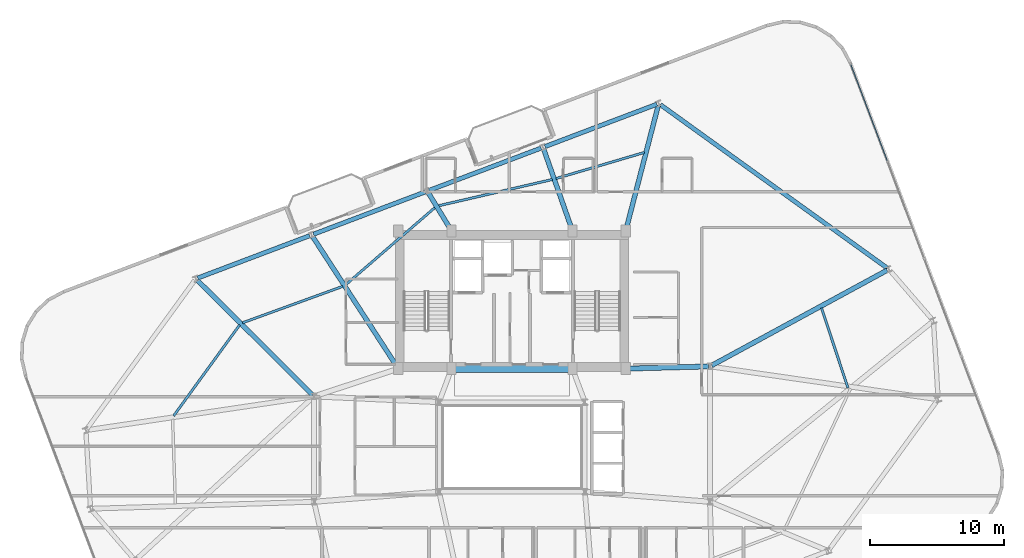
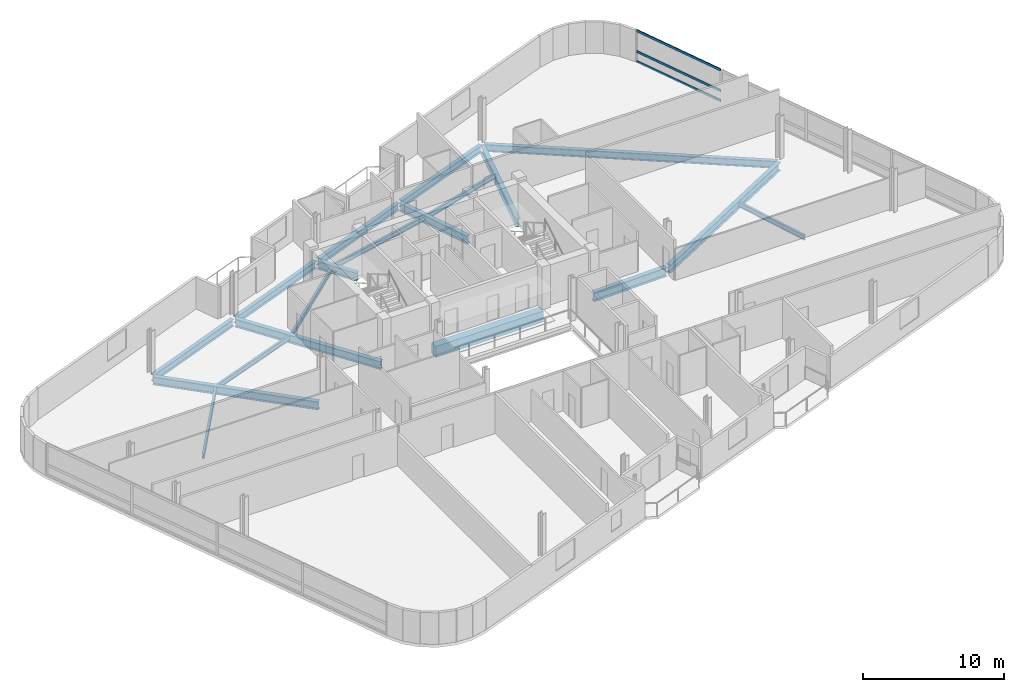
# One storey, part 9 of 20: 19 beams, 3 members, 1 element without a shape of its own.
"""IFC4 building model written with IfcOpenShell, lengths in metres."""

from ifc_helpers import new_model, si_unit, direction, frame, origin, origin_2d, place, context, subcontext, project, spatial, rectangle, hollow_rectangle, i_section, extrude, material, layer, layer_set, material_profile, profile_set, type_object, element, aggregate, save


model = new_model("IFC4")

# Units and contexts
model_context = context("Model", 3, precision=1e-05, world=origin(), true_north=direction((0.0, 1.0)))
body_context = subcontext(model_context, "Body", "Model", "MODEL_VIEW")
ifc_project = project(units=[si_unit("LENGTHUNIT", "METRE"), si_unit("AREAUNIT", "SQUARE_METRE"), si_unit("VOLUMEUNIT", "CUBIC_METRE"), si_unit("PLANEANGLEUNIT", "RADIAN"), si_unit("MASSUNIT", "GRAM", prefix="KILO")], contexts=[model_context])

# Site, building, storey
site_placement = place(None, origin())
site = spatial("IfcSite", under=ifc_project, at=site_placement, CompositionType="ELEMENT")
building_placement = place(site_placement, origin())
building = spatial("IfcBuilding", under=site, at=building_placement, Name="Varnelok Gate Tower", CompositionType="ELEMENT")
storey_placement = place(building_placement, frame((0.0, 0.0, 234.89990234375)))
storey = spatial("IfcBuildingStorey", under=building, at=storey_placement, Name="L60", CompositionType="ELEMENT", Elevation=234.89990234375)

# Beams
ifc_material_1 = material(Name="Structural Steel ASTM A992 Grade 50", Category="steel")
ifc_material_profile_1 = material_profile(ifc_material_1, i_section(OverallWidth=0.180908203125, OverallDepth=0.4169921875, WebThickness=0.010986328125, FlangeThickness=0.018310546875, FilletRadius=0.013916015625, at=origin_2d()), Name="W16X57")
ifc_profile_set_1 = profile_set([ifc_material_profile_1], Name="Structural Steel ASTM A992 Grade 50")
beam_type_1 = type_object("IfcBeamType", Name="BM-JST-W16X57", PredefinedType="JOIST", material=ifc_profile_set_1)
beam_1_placement = place(storey_placement, frame((64.3134765625, 27.315185546875, -0.45849609375), z_axis=(-0.314411260858, 0.949286868678, 0.0), x_axis=(-0.949286868678, -0.314411260858, 0.0)))
element("IfcBeam", 1, at=beam_1_placement, inside=storey, type_object=beam_type_1, Name="L60 Sector Floor Joist 6", PredefinedType="JOIST", context=body_context, shape_type="SweptSolid", body=[
    extrude(i_section(OverallWidth=0.180908203125, OverallDepth=0.4169921875, WebThickness=0.010986328125, FlangeThickness=0.018310546875, FilletRadius=0.013916015625, at=origin_2d()), origin(), (0.0, 0.0, 1.0), 6.2919921875),
])
beam_2_placement = place(storey_placement, frame((49.097900390625, 44.913818359375, -0.45849609375), z_axis=(-0.959057966549, -0.283209845871, 0.0), x_axis=(0.283209845871, -0.959057966549, 0.0)))
element("IfcBeam", 2, at=beam_2_placement, inside=storey, type_object=beam_type_1, Name="L60 Sector Floor Joist 7", PredefinedType="JOIST", context=body_context, shape_type="SweptSolid", body=[
    extrude(i_section(OverallWidth=0.180908203125, OverallDepth=0.4169921875, WebThickness=0.010986328125, FlangeThickness=0.018310546875, FilletRadius=0.013916015625, at=origin_2d()), origin(), (0.0, 0.0, 1.0), 6.889404296875),
])
beam_3_placement = place(storey_placement, frame((42.2197265625, 42.8916015625, -0.45849609375), z_axis=(-0.974390725435, -0.224861544479, 0.0), x_axis=(0.224861544479, -0.974390725435, 0.0)))
element("IfcBeam", 3, at=beam_3_placement, inside=storey, type_object=beam_type_1, Name="L60 Sector Floor Joist 8", PredefinedType="JOIST", context=body_context, shape_type="SweptSolid", body=[
    extrude(i_section(OverallWidth=0.180908203125, OverallDepth=0.4169921875, WebThickness=0.010986328125, FlangeThickness=0.018310546875, FilletRadius=0.013916015625, at=origin_2d()), origin(), (0.0, 0.0, 1.0), 8.75),
])
beam_4_placement = place(storey_placement, frame((33.451416015625, 40.801025390625, -0.45849609375), z_axis=(-0.756477675991, -0.65401951479, 0.0), x_axis=(0.65401951479, -0.756477675991, 0.0)))
element("IfcBeam", 4, at=beam_4_placement, inside=storey, type_object=beam_type_1, Name="L60 Sector Floor Joist 9", PredefinedType="JOIST", context=body_context, shape_type="SweptSolid", body=[
    extrude(i_section(OverallWidth=0.180908203125, OverallDepth=0.4169921875, WebThickness=0.010986328125, FlangeThickness=0.018310546875, FilletRadius=0.013916015625, at=origin_2d()), origin(), (0.0, 0.0, 1.0), 8.809326171875),
])
beam_5_placement = place(storey_placement, frame((26.5498046875, 34.900146484375, -0.45849609375), z_axis=(-0.939942639177, -0.341332440673, 0.0), x_axis=(0.341332440673, -0.939942639177, 0.0)))
element("IfcBeam", 5, at=beam_5_placement, inside=storey, type_object=beam_type_1, Name="L60 Sector Floor Joist 10", PredefinedType="JOIST", context=body_context, shape_type="SweptSolid", body=[
    extrude(i_section(OverallWidth=0.180908203125, OverallDepth=0.4169921875, WebThickness=0.010986328125, FlangeThickness=0.018310546875, FilletRadius=0.013916015625, at=origin_2d()), origin(), (0.0, 0.0, 1.0), 7.972900390625),
])
beam_6_placement = place(storey_placement, frame((18.841796875, 32.017578125, -0.45849609375), z_axis=(-0.587535336543, -0.809198509831, 0.0), x_axis=(0.809198509831, -0.587535336543, 0.0)))
element("IfcBeam", 6, at=beam_6_placement, inside=storey, type_object=beam_type_1, Name="L60 Sector Floor Joist 11", PredefinedType="JOIST", context=body_context, shape_type="SweptSolid", body=[
    extrude(i_section(OverallWidth=0.180908203125, OverallDepth=0.4169921875, WebThickness=0.010986328125, FlangeThickness=0.018310546875, FilletRadius=0.013916015625, at=origin_2d()), origin(), (0.0, 0.0, 1.0), 8.397216796875),
])
ifc_material_2 = material(Name="Concrete C60/75", Category="concrete")
ifc_material_profile_2 = material_profile(ifc_material_2, rectangle(XDim=0.60009765625, YDim=0.949951171875, at=origin_2d()), Name="RC950X600")
ifc_profile_set_2 = profile_set([ifc_material_profile_2], Name="Concrete C60/75")
beam_type_2 = type_object("IfcBeamType", Name="BM-LNT-RC950", PredefinedType="LINTEL", material=ifc_profile_set_2)
beam_7_placement = place(storey_placement, frame((34.800048828125, 28.75, -0.724853515625), z_axis=(1.0, 0.0, 0.0), x_axis=(0.0, 1.0, 0.0)))
element("IfcBeam", 7, at=beam_7_placement, inside=storey, type_object=beam_type_2, Name="L60 Core-Atrium Spine Beam 7", PredefinedType="LINTEL", context=body_context, shape_type="SweptSolid", body=[
    extrude(rectangle(XDim=0.60009765625, YDim=0.949951171875, at=origin_2d()), origin(), (0.0, 0.0, 1.0), 8.800048828125),
])
ifc_material_profile_3 = material_profile(ifc_material_1, i_section(OverallWidth=0.35498046875, OverallDepth=0.696044921875, WebThickness=0.015380859375, FlangeThickness=0.02490234375, FilletRadius=0.02001953125, at=origin_2d()), Name="W27X146")
ifc_profile_set_3 = profile_set([ifc_material_profile_3], Name="Structural Steel ASTM A992 Grade 50")
beam_type_3 = type_object("IfcBeamType", Name="BM-PRI-W27X146", PredefinedType="BEAM", material=ifc_profile_set_3)
beam_8_placement = place(storey_placement, frame((54.1318359375, 28.99169921875, -0.597900390625), z_axis=(0.878855196349, 0.477088612157, 0.0), x_axis=(-0.477088612157, 0.878855196349, 0.0)))
element("IfcBeam", 8, at=beam_8_placement, inside=storey, type_object=beam_type_3, Name="L60 Radial Floor Girder 8", PredefinedType="BEAM", context=body_context, shape_type="SweptSolid", body=[
    extrude(i_section(OverallWidth=0.35498046875, OverallDepth=0.696044921875, WebThickness=0.015380859375, FlangeThickness=0.02490234375, FilletRadius=0.02001953125, at=origin_2d()), origin(), (0.0, 0.0, 1.0), 14.91650390625),
])
beam_9_placement = place(storey_placement, frame((47.73779296875, 39.1953125, -0.597900390625), z_axis=(0.251175366301, 0.967941597083, 0.0), x_axis=(-0.967941597083, 0.251175366301, 0.0)))
element("IfcBeam", 9, at=beam_9_placement, inside=storey, type_object=beam_type_3, Name="L60 Radial Floor Girder 9", PredefinedType="BEAM", context=body_context, shape_type="SweptSolid", body=[
    extrude(i_section(OverallWidth=0.35498046875, OverallDepth=0.696044921875, WebThickness=0.015380859375, FlangeThickness=0.02490234375, FilletRadius=0.02001953125, at=origin_2d()), origin(), (0.0, 0.0, 1.0), 9.537109375),
])
beam_10_placement = place(storey_placement, frame((43.670166015625, 39.19140625, -0.597900390625), z_axis=(-0.332145441042, 0.943228183419, 0.0), x_axis=(-0.943228183419, -0.332145441042, 0.0)))
element("IfcBeam", 10, at=beam_10_placement, inside=storey, type_object=beam_type_3, Name="L60 Radial Floor Girder 10", PredefinedType="BEAM", context=body_context, shape_type="SweptSolid", body=[
    extrude(i_section(OverallWidth=0.35498046875, OverallDepth=0.696044921875, WebThickness=0.015380859375, FlangeThickness=0.02490234375, FilletRadius=0.02001953125, at=origin_2d()), origin(), (0.0, 0.0, 1.0), 6.32275390625),
])
beam_11_placement = place(storey_placement, frame((34.60205078125, 39.177978515625, -0.597900390625), z_axis=(-0.520275699177, 0.853998358808, 0.0), x_axis=(-0.853998358808, -0.520275699177, 0.0)))
element("IfcBeam", 11, at=beam_11_placement, inside=storey, type_object=beam_type_3, Name="L60 Radial Floor Girder 11", PredefinedType="BEAM", context=body_context, shape_type="SweptSolid", body=[
    extrude(i_section(OverallWidth=0.35498046875, OverallDepth=0.696044921875, WebThickness=0.015380859375, FlangeThickness=0.02490234375, FilletRadius=0.02001953125, at=origin_2d()), origin(), (0.0, 0.0, 1.0), 3.18017578125),
])
beam_12_placement = place(storey_placement, frame((30.618408203125, 28.8759765625, -0.597900390625), z_axis=(-0.544016338938, 0.839074623004, 0.0), x_axis=(-0.839074623004, -0.544016338938, 0.0)))
element("IfcBeam", 12, at=beam_12_placement, inside=storey, type_object=beam_type_3, Name="L60 Radial Floor Girder 12", PredefinedType="BEAM", context=body_context, shape_type="SweptSolid", body=[
    extrude(i_section(OverallWidth=0.35498046875, OverallDepth=0.696044921875, WebThickness=0.015380859375, FlangeThickness=0.02490234375, FilletRadius=0.02001953125, at=origin_2d()), origin(), (0.0, 0.0, 1.0), 11.61376953125),
])
beam_13_placement = place(storey_placement, frame((24.293701171875, 26.785888671875, -0.597900390625), z_axis=(-0.708740938647, 0.705468838352, 0.0), x_axis=(-0.705468838352, -0.708740938647, 0.0)))
element("IfcBeam", 13, at=beam_13_placement, inside=storey, type_object=beam_type_3, Name="L60 Radial Floor Girder 13", PredefinedType="BEAM", context=body_context, shape_type="SweptSolid", body=[
    extrude(i_section(OverallWidth=0.35498046875, OverallDepth=0.696044921875, WebThickness=0.015380859375, FlangeThickness=0.02490234375, FilletRadius=0.02001953125, at=origin_2d()), origin(), (0.0, 0.0, 1.0), 12.161865234375),
])
ifc_material_profile_4 = material_profile(ifc_material_1, i_section(OverallWidth=0.381103515625, OverallDepth=0.77294921875, WebThickness=0.0166015625, FlangeThickness=0.027099609375, FilletRadius=0.02197265625, at=origin_2d()), Name="W30X173")
ifc_profile_set_4 = profile_set([ifc_material_profile_4], Name="Structural Steel ASTM A992 Grade 50")
beam_type_4 = type_object("IfcBeamType", Name="BM-PRI-W30X173", PredefinedType="BEAM", material=ifc_profile_set_4)
beam_14_placement = place(storey_placement, frame((47.820068359375, 28.753173828125, -0.636474609375), z_axis=(0.999635880609, 0.026983443053, 0.0), x_axis=(-0.026983443053, 0.999635880609, 0.0)))
element("IfcBeam", 14, at=beam_14_placement, inside=storey, type_object=beam_type_4, Name="L60 Core-Atrium Spine Beam 19", PredefinedType="BEAM", context=body_context, shape_type="SweptSolid", body=[
    extrude(i_section(OverallWidth=0.381103515625, OverallDepth=0.77294921875, WebThickness=0.0166015625, FlangeThickness=0.027099609375, FilletRadius=0.02197265625, at=origin_2d()), origin(), (0.0, 0.0, 1.0), 6.06201171875),
])
ifc_material_profile_5 = material_profile(ifc_material_1, i_section(OverallWidth=0.323974609375, OverallDepth=0.611083984375, WebThickness=0.0126953125, FlangeThickness=0.01904296875, FilletRadius=0.01806640625, at=origin_2d()), Name="W24X104")
ifc_profile_set_5 = profile_set([ifc_material_profile_5], Name="Structural Steel ASTM A992 Grade 50")
beam_type_5 = type_object("IfcBeamType", Name="BM-SPN-W24X104", PredefinedType="SPANDREL", material=ifc_profile_set_5)
beam_15_placement = place(storey_placement, frame((67.251220703125, 36.267333984375, -0.555419921875), z_axis=(-0.811382769408, 0.58451518501, 0.0), x_axis=(-0.58451518501, -0.811382769408, 0.0)))
element("IfcBeam", 15, at=beam_15_placement, inside=storey, type_object=beam_type_5, Name="L60 Perimeter Spandrel Beam 8", PredefinedType="SPANDREL", context=body_context, shape_type="SweptSolid", body=[
    extrude(i_section(OverallWidth=0.323974609375, OverallDepth=0.611083984375, WebThickness=0.0126953125, FlangeThickness=0.01904296875, FilletRadius=0.01806640625, at=origin_2d()), origin(), (0.0, 0.0, 1.0), 20.900634765625),
])
beam_16_placement = place(storey_placement, frame((50.03076171875, 48.518798828125, -0.555419921875), z_axis=(-0.935220356141, -0.354066216208, 0.0), x_axis=(0.354066216208, -0.935220356141, 0.0)))
element("IfcBeam", 16, at=beam_16_placement, inside=storey, type_object=beam_type_5, Name="L60 Perimeter Spandrel Beam 9", PredefinedType="SPANDREL", context=body_context, shape_type="SweptSolid", body=[
    extrude(i_section(OverallWidth=0.323974609375, OverallDepth=0.611083984375, WebThickness=0.0126953125, FlangeThickness=0.01904296875, FilletRadius=0.01806640625, at=origin_2d()), origin(), (0.0, 0.0, 1.0), 8.9501953125),
])
for number, where, z_axis, x_axis, name in (
    (17, (41.3798828125, 45.24365234375, -0.555419921875), (-0.935225969099, -0.354051389947, 0.0), (0.354051389947, -0.935225969099, 0.0), "L60 Perimeter Spandrel Beam 10"),
    (18, (32.72900390625, 41.96875, -0.555419921875), (-0.935216936382, -0.354075248928, 0.0), (0.354075248928, -0.935216936382, 0.0), "L60 Perimeter Spandrel Beam 11"),
):
    element("IfcBeam", number, at=place(storey_placement, frame(where, z_axis=z_axis, x_axis=x_axis)), inside=storey, type_object=beam_type_5, Name=name, PredefinedType="SPANDREL", context=body_context, shape_type="SweptSolid", body=[
        extrude(i_section(OverallWidth=0.323974609375, OverallDepth=0.611083984375, WebThickness=0.0126953125, FlangeThickness=0.01904296875, FilletRadius=0.01806640625, at=origin_2d()), origin(), (0.0, 0.0, 1.0), 8.949951171875),
    ])
beam_17_placement = place(storey_placement, frame((24.078369140625, 38.693603515625, -0.555419921875), z_axis=(-0.935220356141, -0.354066216208, 0.0), x_axis=(0.354066216208, -0.935220356141, 0.0)))
element("IfcBeam", 19, at=beam_17_placement, inside=storey, type_object=beam_type_5, Name="L60 Perimeter Spandrel Beam 12", PredefinedType="SPANDREL", context=body_context, shape_type="SweptSolid", body=[
    extrude(i_section(OverallWidth=0.323974609375, OverallDepth=0.611083984375, WebThickness=0.0126953125, FlangeThickness=0.01904296875, FilletRadius=0.01806640625, at=origin_2d()), origin(), (0.0, 0.0, 1.0), 8.9501953125),
])

# Curtain wall, members
ifc_material_3 = material(Name="Anodized Aluminum Alloy 6063-T6", Category="aluminium")
ifc_layer = layer(ifc_material_3, 0.179931640625)
ifc_layer_set = layer_set([ifc_layer], Name="Anodized Aluminum Alloy 6063-T6")
curtain_wall_type = type_object("IfcCurtainWallType", Name="CW4-RESIDENCE-VISION", PredefinedType="USERDEFINED", material=ifc_layer_set)
curtain_wall_placement = place(storey_placement, origin())
curtain_wall = element("IfcCurtainWall", 20, at=curtain_wall_placement, inside=storey, type_object=curtain_wall_type, Name="L60 East End Vision Curtain Wall", ObjectType="UNITISED CURTAIN WALL", PredefinedType="USERDEFINED")
ifc_material_profile_6 = material_profile(ifc_material_3, hollow_rectangle(XDim=0.074951171875, YDim=0.199951171875, WallThickness=0.00390625, at=origin_2d()), Name="ALU200X75X4")
ifc_profile_set_6 = profile_set([ifc_material_profile_6], Name="Anodized Aluminum Alloy 6063-T6")
member_type = type_object("IfcMemberType", Name="CW-TRAN-200", PredefinedType="USERDEFINED", material=ifc_profile_set_6)
member_1_placement = place(storey_placement, frame((64.528076171875, 51.4892578125, 0.03759765625), z_axis=(0.354073041953, -0.935217771945, 0.0), x_axis=(0.935217771945, 0.354073041953, 0.0)))
member_1 = element("IfcMember", 21, at=member_1_placement, type_object=member_type, Name="CW4 transom 1.1", ObjectType="TRANSOM", PredefinedType="USERDEFINED", context=body_context, shape_type="SweptSolid", body=[
    extrude(hollow_rectangle(XDim=0.074951171875, YDim=0.199951171875, WallThickness=0.00390625, at=origin_2d()), origin(), (0.0, 0.0, 1.0), 7.6875),
])
member_2_placement = place(storey_placement, frame((64.528076171875, 51.4892578125, 0.900146484375), z_axis=(0.354073041953, -0.935217771945, 0.0), x_axis=(0.935217771945, 0.354073041953, 0.0)))
member_2 = element("IfcMember", 22, at=member_2_placement, type_object=member_type, Name="CW4 transom 1.2", ObjectType="TRANSOM", PredefinedType="USERDEFINED", context=body_context, shape_type="SweptSolid", body=[
    extrude(hollow_rectangle(XDim=0.074951171875, YDim=0.199951171875, WallThickness=0.00390625, at=origin_2d()), origin(), (0.0, 0.0, 1.0), 7.6875),
])
member_3_placement = place(storey_placement, frame((64.528076171875, 51.4892578125, 2.692626953125), z_axis=(0.354073041953, -0.935217771945, 0.0), x_axis=(0.935217771945, 0.354073041953, 0.0)))
member_3 = element("IfcMember", 23, at=member_3_placement, type_object=member_type, Name="CW4 transom 1.3", ObjectType="TRANSOM", PredefinedType="USERDEFINED", context=body_context, shape_type="SweptSolid", body=[
    extrude(hollow_rectangle(XDim=0.074951171875, YDim=0.199951171875, WallThickness=0.00390625, at=origin_2d()), origin(), (0.0, 0.0, 1.0), 7.6875),
])
aggregate(curtain_wall, [member_1, member_2, member_3])

save(model, "model.ifc")
